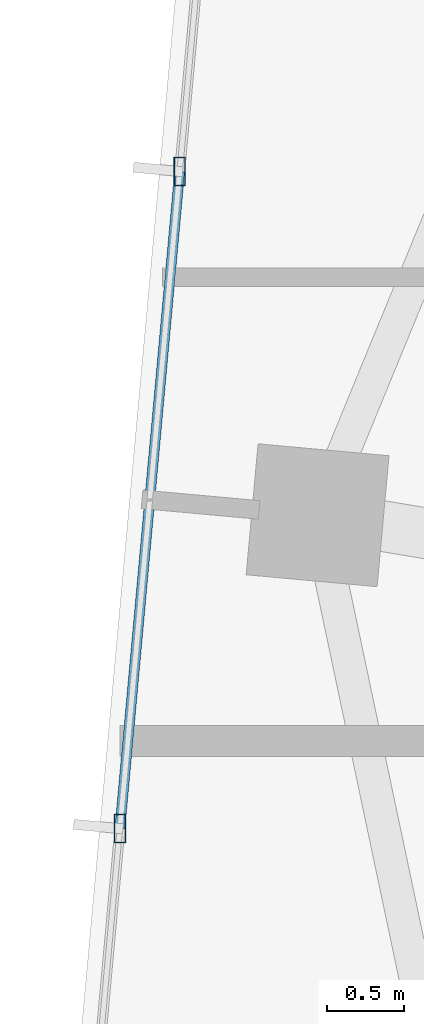
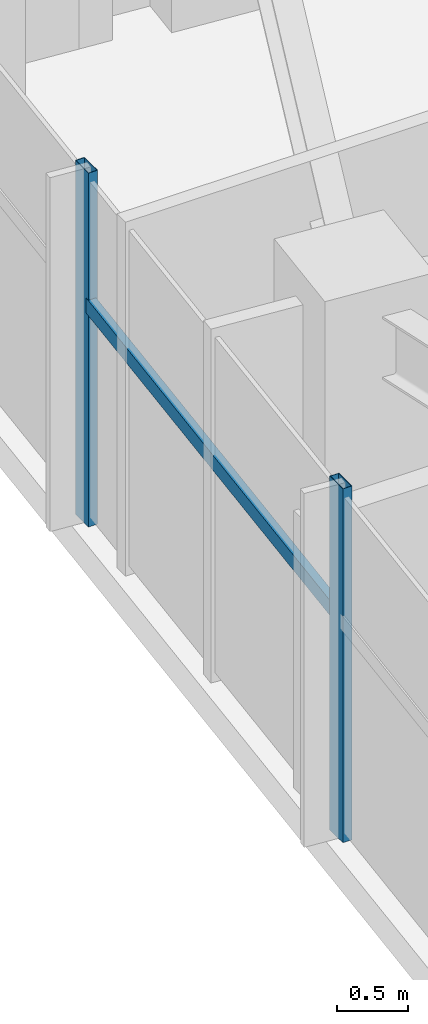
# One storey, part 4 of 22: 3 members, 1 element without a shape of its own.
"""IFC4 building model written with IfcOpenShell, lengths in metres."""

from ifc_helpers import new_model, si_unit, direction, frame, origin, origin_2d, place, context, subcontext, project, spatial, hollow_rectangle, extrude, source, transform, mapped, material, material_profile, profile_set, type_object, type_shapes, element, aggregate, save


model = new_model("IFC4")

# Units and contexts
model_context = context("Model", 3, precision=1e-05, world=origin(), true_north=direction((0.0, 1.0)))
body_context = subcontext(model_context, "Body", "Model", "MODEL_VIEW")
ifc_project = project(units=[si_unit("LENGTHUNIT", "METRE"), si_unit("AREAUNIT", "SQUARE_METRE"), si_unit("VOLUMEUNIT", "CUBIC_METRE"), si_unit("PLANEANGLEUNIT", "RADIAN"), si_unit("MASSUNIT", "GRAM", prefix="KILO")], contexts=[model_context])

# Site, building, storey
site_placement = place(None, origin())
site = spatial("IfcSite", under=ifc_project, at=site_placement, CompositionType="ELEMENT")
building_placement = place(site_placement, origin())
building = spatial("IfcBuilding", under=site, at=building_placement, Name="Astriad Promenade Condominiums", CompositionType="ELEMENT")
storey_placement = place(building_placement, frame((0.0, 0.0, 249.60009765625)))
storey = spatial("IfcBuildingStorey", under=building, at=storey_placement, Name="L72", CompositionType="ELEMENT", Elevation=249.60009765625)

# Curtain wall, members
ifc_material_1 = material(Name="Anodised aluminium Black Dark Glass Unitised", Category="aluminium")
curtain_wall_type = type_object("IfcCurtainWallType", Name="CW-B5-DARK", PredefinedType="USERDEFINED", material=ifc_material_1)
curtain_wall_placement = place(storey_placement, origin())
curtain_wall = element("IfcCurtainWall", 1, at=curtain_wall_placement, inside=storey, type_object=curtain_wall_type, Name="CW-L72-W", ObjectType="UNITISED_CURTAIN_WALL", PredefinedType="USERDEFINED")
ifc_material_2 = material(Name="Anodised aluminium 6063-T6 Black", Category="aluminium")
ifc_material_profile_1 = material_profile(ifc_material_2, hollow_rectangle(XDim=0.074951171875, YDim=0.18505859375, WallThickness=0.00439453125, at=origin_2d()), Name="ALU-MUL-75X185")
ifc_profile_set_1 = profile_set([ifc_material_profile_1], Name="Anodised aluminium 6063-T6 Black")
member_type_1 = type_object("IfcMemberType", Name="MUL-ALU-MUL-75X185", PredefinedType="MULLION", material=ifc_profile_set_1)
shared_shape_1 = source(origin(), body_context, "Body", "SweptSolid", [
    extrude(hollow_rectangle(XDim=0.074951171875, YDim=0.18505859375, WallThickness=0.00439453125, at=origin_2d()), origin(), (0.0, 0.0, 1.0), 3.039794921875),
])
type_shapes(member_type_1, [shared_shape_1])
member_1_placement = place(storey_placement, frame((9.4326171875, 17.984375, 0.0), z_axis=(0.0, 0.0, 1.0), x_axis=(1.0, 0.0, 0.0)))
member_1 = element("IfcMember", 2, at=member_1_placement, type_object=member_type_1, Name="CW-L72-W-MUL-01", PredefinedType="MULLION", context=body_context, shape_type="MappedRepresentation", body=[
    mapped(shared_shape_1, transform((0.0, 0.0, 0.0), scale=1.0)),
])
member_2_placement = place(storey_placement, frame((9.819091796875, 22.233642578125, 0.0), z_axis=(0.0, 0.0, 1.0), x_axis=(1.0, 0.0, 0.0)))
member_2 = element("IfcMember", 3, at=member_2_placement, type_object=member_type_1, Name="CW-L72-W-MUL-02", PredefinedType="MULLION", context=body_context, shape_type="MappedRepresentation", body=[
    mapped(shared_shape_1, transform((0.0, 0.0, 0.0), scale=1.0)),
])
ifc_material_profile_2 = material_profile(ifc_material_2, hollow_rectangle(XDim=0.06494140625, YDim=0.1298828125, WallThickness=0.00390625, at=origin_2d()), Name="ALU-TRN-65X130")
ifc_profile_set_2 = profile_set([ifc_material_profile_2], Name="Anodised aluminium 6063-T6 Black")
member_type_2 = type_object("IfcMemberType", Name="TRN-ALU-TRN-65X130", PredefinedType="USERDEFINED", material=ifc_profile_set_2)
shared_shape_2 = source(origin(), body_context, "Body", "SweptSolid", [
    extrude(hollow_rectangle(XDim=0.06494140625, YDim=0.1298828125, WallThickness=0.00390625, at=origin_2d()), origin(), (0.0, 0.0, 1.0), 4.266845703125),
])
type_shapes(member_type_2, [shared_shape_2])
member_3_placement = place(storey_placement, frame((9.4326171875, 17.984375, 1.884765625), z_axis=(0.090577018386, 0.995889453574, 0.0), x_axis=(-0.995889453574, 0.090577018386, 0.0)))
member_3 = element("IfcMember", 4, at=member_3_placement, type_object=member_type_2, Name="CW-L72-W-TRN-01-0", ObjectType="TRANSOM", PredefinedType="USERDEFINED", context=body_context, shape_type="MappedRepresentation", body=[
    mapped(shared_shape_2, transform((0.0, 0.0, 0.0), scale=1.0)),
])
aggregate(curtain_wall, [member_1, member_2, member_3])

save(model, "model.ifc")
